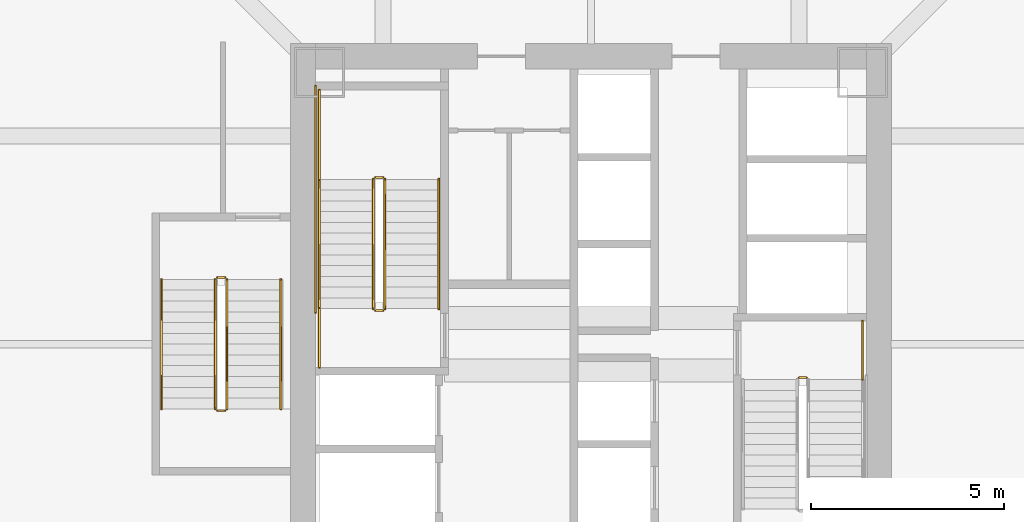
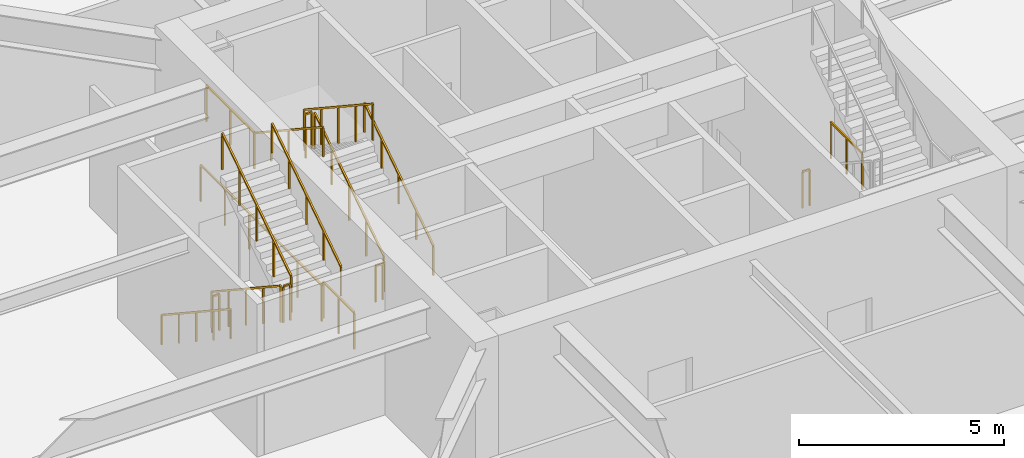
# One storey, part 40 of 44: 17 railings.
"""IFC4 building model written with IfcOpenShell, lengths in metres."""

from ifc_helpers import new_model, si_unit, direction, frame, origin, origin_2d, place, context, subcontext, project, spatial, rectangle, extrude, material, type_object, element, save


model = new_model("IFC4")

# Units and contexts
model_context = context("Model", 3, precision=1e-05, world=origin(), true_north=direction((0.0, 1.0)))
body_context = subcontext(model_context, "Body", "Model", "MODEL_VIEW")
ifc_project = project(units=[si_unit("LENGTHUNIT", "METRE"), si_unit("AREAUNIT", "SQUARE_METRE"), si_unit("VOLUMEUNIT", "CUBIC_METRE"), si_unit("PLANEANGLEUNIT", "RADIAN"), si_unit("MASSUNIT", "GRAM", prefix="KILO")], contexts=[model_context])

# Site, building, storey
site_placement = place(None, origin())
site = spatial("IfcSite", under=ifc_project, at=site_placement, CompositionType="ELEMENT")
building_placement = place(site_placement, origin())
building = spatial("IfcBuilding", under=site, at=building_placement, Name="Tashvorn Skyway Center", CompositionType="ELEMENT")
storey_placement = place(building_placement, frame((0.0, 0.0, 5.39990234375)))
storey = spatial("IfcBuildingStorey", under=building, at=storey_placement, Name="L01", CompositionType="ELEMENT", Elevation=5.39990234375)

# Railings
ifc_material_1 = material(Name="Brushed stainless steel 316", Category="steel")
railing_type_1 = type_object("IfcRailingType", Name="RAIL-HAND-920", PredefinedType="HANDRAIL", material=ifc_material_1)
railing_1_placement = place(storey_placement, frame((38.050048828125, 32.919921875, 0.184814453125)))
element("IfcRailing", 1, at=railing_1_placement, inside=storey, type_object=railing_type_1, Name="L01 ST-T1-1 stair handrail 1", PredefinedType="HANDRAIL", context=body_context, shape_type="SweptSolid", body=[
    extrude(rectangle(XDim=0.048095703125, YDim=0.048095703125, at=origin_2d()), frame((0.0, 0.0, 0.8759765625), z_axis=(0.0, 0.834876476806, 0.550437342915), x_axis=(-1.0, 0.0, 0.0)), (0.0, 0.0, 1.0), 4.024658203125),
    extrude(rectangle(XDim=0.0419921875, YDim=0.0419921875, at=origin_2d()), origin(), (0.0, 0.0, 1.0), 0.851806640625),
    extrude(rectangle(XDim=0.0419921875, YDim=0.0419921875, at=origin_2d()), frame((0.0, 0.840087890625, 0.5537109375)), (0.0, 0.0, 1.0), 0.851806640625),
    extrude(rectangle(XDim=0.0419921875, YDim=0.0419921875, at=origin_2d()), frame((0.0, 1.68017578125, 1.107666015625)), (0.0, 0.0, 1.0), 0.851806640625),
    extrude(rectangle(XDim=0.0419921875, YDim=0.0419921875, at=origin_2d()), frame((0.0, 2.52001953125, 1.66162109375)), (0.0, 0.0, 1.0), 0.851806640625),
    extrude(rectangle(XDim=0.0419921875, YDim=0.0419921875, at=origin_2d()), frame((0.0, 3.360107421875, 2.21533203125)), (0.0, 0.0, 1.0), 0.851806640625),
])
railing_2_placement = place(storey_placement, frame((34.949951171875, 36.280029296875, 2.584716796875)))
element("IfcRailing", 2, at=railing_2_placement, inside=storey, type_object=railing_type_1, Name="L01 ST-T1-1 stair handrail 2", PredefinedType="HANDRAIL", context=body_context, shape_type="SweptSolid", body=[
    extrude(rectangle(XDim=0.048095703125, YDim=0.048095703125, at=origin_2d()), frame((0.0, 0.0, 0.8759765625), z_axis=(0.0, -0.834876476806, 0.550437342915), x_axis=(1.0, 0.0, 0.0)), (0.0, 0.0, 1.0), 4.024658203125),
    extrude(rectangle(XDim=0.0419921875, YDim=0.0419921875, at=origin_2d()), origin(), (0.0, 0.0, 1.0), 0.851806640625),
    extrude(rectangle(XDim=0.0419921875, YDim=0.0419921875, at=origin_2d()), frame((0.0, -0.840087890625, 0.5537109375)), (0.0, 0.0, 1.0), 0.851806640625),
    extrude(rectangle(XDim=0.0419921875, YDim=0.0419921875, at=origin_2d()), frame((0.0, -1.68017578125, 1.107666015625)), (0.0, 0.0, 1.0), 0.851806640625),
    extrude(rectangle(XDim=0.0419921875, YDim=0.0419921875, at=origin_2d()), frame((0.0, -2.52001953125, 1.66162109375)), (0.0, 0.0, 1.0), 0.851806640625),
    extrude(rectangle(XDim=0.0419921875, YDim=0.0419921875, at=origin_2d()), frame((0.0, -3.360107421875, 2.21533203125)), (0.0, 0.0, 1.0), 0.851806640625),
])
railing_3_placement = place(storey_placement, frame((30.85009765625, 33.679931640625, 0.184814453125)))
element("IfcRailing", 3, at=railing_3_placement, inside=storey, type_object=railing_type_1, Name="L01 ST-T1-3 stair handrail 1", PredefinedType="HANDRAIL", context=body_context, shape_type="SweptSolid", body=[
    extrude(rectangle(XDim=0.048095703125, YDim=0.048095703125, at=origin_2d()), frame((0.0, 0.0, 0.8759765625), z_axis=(0.0, -0.834858096282, 0.550465220583), x_axis=(1.0, 0.0, 0.0)), (0.0, 0.0, 1.0), 4.0244140625),
    extrude(rectangle(XDim=0.0419921875, YDim=0.0419921875, at=origin_2d()), origin(), (0.0, 0.0, 1.0), 0.851806640625),
    extrude(rectangle(XDim=0.0419921875, YDim=0.0419921875, at=origin_2d()), frame((0.0, -0.83984375, 0.5537109375)), (0.0, 0.0, 1.0), 0.851806640625),
    extrude(rectangle(XDim=0.0419921875, YDim=0.0419921875, at=origin_2d()), frame((0.0, -1.679931640625, 1.107666015625)), (0.0, 0.0, 1.0), 0.851806640625),
    extrude(rectangle(XDim=0.0419921875, YDim=0.0419921875, at=origin_2d()), frame((0.0, -2.52001953125, 1.66162109375)), (0.0, 0.0, 1.0), 0.851806640625),
    extrude(rectangle(XDim=0.0419921875, YDim=0.0419921875, at=origin_2d()), frame((0.0, -3.35986328125, 2.21533203125)), (0.0, 0.0, 1.0), 0.851806640625),
])
railing_4_placement = place(storey_placement, frame((33.949951171875, 30.320068359375, 2.584716796875)))
element("IfcRailing", 4, at=railing_4_placement, inside=storey, type_object=railing_type_1, Name="L01 ST-T1-3 stair handrail 2", PredefinedType="HANDRAIL", context=body_context, shape_type="SweptSolid", body=[
    extrude(rectangle(XDim=0.048095703125, YDim=0.048095703125, at=origin_2d()), frame((0.0, 0.0, 0.8759765625), z_axis=(0.0, 0.834858096282, 0.550465220583), x_axis=(-1.0, 0.0, 0.0)), (0.0, 0.0, 1.0), 4.0244140625),
    extrude(rectangle(XDim=0.0419921875, YDim=0.0419921875, at=origin_2d()), origin(), (0.0, 0.0, 1.0), 0.851806640625),
    extrude(rectangle(XDim=0.0419921875, YDim=0.0419921875, at=origin_2d()), frame((0.0, 0.83984375, 0.5537109375)), (0.0, 0.0, 1.0), 0.851806640625),
    extrude(rectangle(XDim=0.0419921875, YDim=0.0419921875, at=origin_2d()), frame((0.0, 1.679931640625, 1.107666015625)), (0.0, 0.0, 1.0), 0.851806640625),
    extrude(rectangle(XDim=0.0419921875, YDim=0.0419921875, at=origin_2d()), frame((0.0, 2.52001953125, 1.66162109375)), (0.0, 0.0, 1.0), 0.851806640625),
    extrude(rectangle(XDim=0.0419921875, YDim=0.0419921875, at=origin_2d()), frame((0.0, 3.35986328125, 2.21533203125)), (0.0, 0.0, 1.0), 0.851806640625),
])
ifc_material_2 = material(Name="Painted galvanized steel S355", Category="steel")
railing_type_2 = type_object("IfcRailingType", Name="RAIL-STGUARD-1100", PredefinedType="GUARDRAIL", material=ifc_material_2)
railing_5_placement = place(storey_placement, frame((36.64990234375, 32.919921875, 0.184814453125)))
element("IfcRailing", 5, at=railing_5_placement, inside=storey, type_object=railing_type_2, Name="L01 ST-T1-1 stair guard 1", PredefinedType="GUARDRAIL", context=body_context, shape_type="SweptSolid", body=[
    extrude(rectangle(XDim=0.048095703125, YDim=0.048095703125, at=origin_2d()), frame((0.0, 0.0, 1.076171875), z_axis=(0.0, 0.834876476806, 0.550437342915), x_axis=(-1.0, 0.0, 0.0)), (0.0, 0.0, 1.0), 4.024658203125),
    extrude(rectangle(XDim=0.0419921875, YDim=0.0419921875, at=origin_2d()), origin(), (0.0, 0.0, 1.0), 1.052001953125),
    extrude(rectangle(XDim=0.0419921875, YDim=0.0419921875, at=origin_2d()), frame((0.0, 0.840087890625, 0.5537109375)), (0.0, 0.0, 1.0), 1.052001953125),
    extrude(rectangle(XDim=0.0419921875, YDim=0.0419921875, at=origin_2d()), frame((0.0, 1.68017578125, 1.107666015625)), (0.0, 0.0, 1.0), 1.052001953125),
    extrude(rectangle(XDim=0.0419921875, YDim=0.0419921875, at=origin_2d()), frame((0.0, 2.52001953125, 1.66162109375)), (0.0, 0.0, 1.0), 1.052001953125),
    extrude(rectangle(XDim=0.0419921875, YDim=0.0419921875, at=origin_2d()), frame((0.0, 3.360107421875, 2.21533203125)), (0.0, 0.0, 1.0), 1.052001953125),
])
railing_6_placement = place(storey_placement, frame((36.60009765625, 36.330078125, 2.400146484375)))
element("IfcRailing", 6, at=railing_6_placement, inside=storey, type_object=railing_type_2, Name="L01 ST-T1-1 stair guard 2", PredefinedType="GUARDRAIL", context=body_context, shape_type="SweptSolid", body=[
    extrude(rectangle(XDim=0.048095703125, YDim=0.048095703125, at=origin_2d()), frame((0.0, 0.0, 1.076171875), z_axis=(-1.0, 0.0, 0.0), x_axis=(0.0, -1.0, 0.0)), (0.0, 0.0, 1.0), 0.2001953125),
    extrude(rectangle(XDim=0.0419921875, YDim=0.0419921875, at=origin_2d()), origin(), (0.0, 0.0, 1.0), 1.052001953125),
    extrude(rectangle(XDim=0.0419921875, YDim=0.0419921875, at=origin_2d()), frame((-0.2001953125, 0.0, 0.0)), (0.0, 0.0, 1.0), 1.052001953125),
])
railing_7_placement = place(storey_placement, frame((34.949951171875, 36.280029296875, 2.400146484375)))
element("IfcRailing", 7, at=railing_7_placement, inside=storey, type_object=railing_type_2, Name="L01 ST-T1-1 stair guard 3", PredefinedType="GUARDRAIL", context=body_context, shape_type="SweptSolid", body=[
    extrude(rectangle(XDim=0.048095703125, YDim=0.048095703125, at=origin_2d()), frame((0.0, 0.0, 1.076171875), z_axis=(0.0, 1.0, 0.0), x_axis=(-1.0, 0.0, 0.0)), (0.0, 0.0, 1.0), 2.320068359375),
    extrude(rectangle(XDim=0.0419921875, YDim=0.0419921875, at=origin_2d()), origin(), (0.0, 0.0, 1.0), 1.052001953125),
    extrude(rectangle(XDim=0.0419921875, YDim=0.0419921875, at=origin_2d()), frame((0.0, 1.16015625, 0.0)), (0.0, 0.0, 1.0), 1.052001953125),
    extrude(rectangle(XDim=0.0419921875, YDim=0.0419921875, at=origin_2d()), frame((0.0, 2.320068359375, 0.0)), (0.0, 0.0, 1.0), 1.052001953125),
])
railing_8_placement = place(storey_placement, frame((36.35009765625, 36.280029296875, 2.584716796875)))
element("IfcRailing", 8, at=railing_8_placement, inside=storey, type_object=railing_type_2, Name="L01 ST-T1-1 stair guard 4", PredefinedType="GUARDRAIL", context=body_context, shape_type="SweptSolid", body=[
    extrude(rectangle(XDim=0.048095703125, YDim=0.048095703125, at=origin_2d()), frame((0.0, 0.0, 1.076171875), z_axis=(0.0, -0.834876476806, 0.550437342915), x_axis=(1.0, 0.0, 0.0)), (0.0, 0.0, 1.0), 4.024658203125),
    extrude(rectangle(XDim=0.0419921875, YDim=0.0419921875, at=origin_2d()), origin(), (0.0, 0.0, 1.0), 1.052001953125),
    extrude(rectangle(XDim=0.0419921875, YDim=0.0419921875, at=origin_2d()), frame((0.0, -0.840087890625, 0.5537109375)), (0.0, 0.0, 1.0), 1.052001953125),
    extrude(rectangle(XDim=0.0419921875, YDim=0.0419921875, at=origin_2d()), frame((0.0, -1.68017578125, 1.107666015625)), (0.0, 0.0, 1.0), 1.052001953125),
    extrude(rectangle(XDim=0.0419921875, YDim=0.0419921875, at=origin_2d()), frame((0.0, -2.52001953125, 1.66162109375)), (0.0, 0.0, 1.0), 1.052001953125),
    extrude(rectangle(XDim=0.0419921875, YDim=0.0419921875, at=origin_2d()), frame((0.0, -3.360107421875, 2.21533203125)), (0.0, 0.0, 1.0), 1.052001953125),
])
railing_9_placement = place(storey_placement, frame((36.60009765625, 32.8701171875, 0.0)))
element("IfcRailing", 9, at=railing_9_placement, inside=storey, type_object=railing_type_2, Name="L01 ST-T1-1 stair guard 5", PredefinedType="GUARDRAIL", context=body_context, shape_type="SweptSolid", body=[
    extrude(rectangle(XDim=0.048095703125, YDim=0.048095703125, at=origin_2d()), frame((0.0, 0.0, 1.076171875), z_axis=(-1.0, 0.0, 0.0), x_axis=(0.0, -1.0, 0.0)), (0.0, 0.0, 1.0), 0.2001953125),
    extrude(rectangle(XDim=0.0419921875, YDim=0.0419921875, at=origin_2d()), origin(), (0.0, 0.0, 1.0), 1.052001953125),
    extrude(rectangle(XDim=0.0419921875, YDim=0.0419921875, at=origin_2d()), frame((-0.2001953125, 0.0, 0.0)), (0.0, 0.0, 1.0), 1.052001953125),
])
railing_10_placement = place(storey_placement, frame((34.949951171875, 31.39990234375, 0.0)))
element("IfcRailing", 10, at=railing_10_placement, inside=storey, type_object=railing_type_2, Name="L01 ST-T1-1 stair guard 6", PredefinedType="GUARDRAIL", context=body_context, shape_type="SweptSolid", body=[
    extrude(rectangle(XDim=0.048095703125, YDim=0.048095703125, at=origin_2d()), frame((0.0, 0.0, 1.076171875), z_axis=(0.0, 1.0, 0.0), x_axis=(-1.0, 0.0, 0.0)), (0.0, 0.0, 1.0), 1.52001953125),
    extrude(rectangle(XDim=0.0419921875, YDim=0.0419921875, at=origin_2d()), origin(), (0.0, 0.0, 1.0), 1.052001953125),
    extrude(rectangle(XDim=0.0419921875, YDim=0.0419921875, at=origin_2d()), frame((0.0, 0.760009765625, 0.0)), (0.0, 0.0, 1.0), 1.052001953125),
    extrude(rectangle(XDim=0.0419921875, YDim=0.0419921875, at=origin_2d()), frame((0.0, 1.52001953125, 0.0)), (0.0, 0.0, 1.0), 1.052001953125),
])
railing_11_placement = place(storey_placement, frame((34.85009765625, 32.820068359375, 0.0)))
element("IfcRailing", 11, at=railing_11_placement, inside=storey, type_object=railing_type_2, Name="L01 ST-T1-1 stair guard 7", PredefinedType="GUARDRAIL", context=body_context, shape_type="SweptSolid", body=[
    extrude(rectangle(XDim=0.048095703125, YDim=0.048095703125, at=origin_2d()), frame((0.0, 0.0, 1.076171875), z_axis=(0.0, 1.0, 0.0), x_axis=(-1.0, 0.0, 0.0)), (0.0, 0.0, 1.0), 5.8798828125),
    extrude(rectangle(XDim=0.0419921875, YDim=0.0419921875, at=origin_2d()), origin(), (0.0, 0.0, 1.0), 1.052001953125),
    extrude(rectangle(XDim=0.0419921875, YDim=0.0419921875, at=origin_2d()), frame((0.0, 1.176025390625, 0.0)), (0.0, 0.0, 1.0), 1.052001953125),
    extrude(rectangle(XDim=0.0419921875, YDim=0.0419921875, at=origin_2d()), frame((0.0, 2.35205078125, 0.0)), (0.0, 0.0, 1.0), 1.052001953125),
    extrude(rectangle(XDim=0.0419921875, YDim=0.0419921875, at=origin_2d()), frame((0.0, 3.52783203125, 0.0)), (0.0, 0.0, 1.0), 1.052001953125),
    extrude(rectangle(XDim=0.0419921875, YDim=0.0419921875, at=origin_2d()), frame((0.0, 4.703857421875, 0.0)), (0.0, 0.0, 1.0), 1.052001953125),
    extrude(rectangle(XDim=0.0419921875, YDim=0.0419921875, at=origin_2d()), frame((0.0, 5.8798828125, 0.0)), (0.0, 0.0, 1.0), 1.052001953125),
])
railing_12_placement = place(storey_placement, frame((47.39990234375, 31.1298828125, 0.0)))
element("IfcRailing", 12, at=railing_12_placement, inside=storey, type_object=railing_type_2, Name="L01 ST-T1-2 stair guard 5", PredefinedType="GUARDRAIL", context=body_context, shape_type="SweptSolid", body=[
    extrude(rectangle(XDim=0.048095703125, YDim=0.048095703125, at=origin_2d()), frame((0.0, 0.0, 1.076171875), z_axis=(1.0, 0.0, 0.0), x_axis=(0.0, 1.0, 0.0)), (0.0, 0.0, 1.0), 0.2001953125),
    extrude(rectangle(XDim=0.0419921875, YDim=0.0419921875, at=origin_2d()), origin(), (0.0, 0.0, 1.0), 1.052001953125),
    extrude(rectangle(XDim=0.0419921875, YDim=0.0419921875, at=origin_2d()), frame((0.2001953125, 0.0, 0.0)), (0.0, 0.0, 1.0), 1.052001953125),
])
railing_13_placement = place(storey_placement, frame((49.050048828125, 32.60009765625, 0.0)))
element("IfcRailing", 13, at=railing_13_placement, inside=storey, type_object=railing_type_2, Name="L01 ST-T1-2 stair guard 6", PredefinedType="GUARDRAIL", context=body_context, shape_type="SweptSolid", body=[
    extrude(rectangle(XDim=0.048095703125, YDim=0.048095703125, at=origin_2d()), frame((0.0, 0.0, 1.076171875), z_axis=(0.0, -1.0, 0.0), x_axis=(1.0, 0.0, 0.0)), (0.0, 0.0, 1.0), 1.52001953125),
    extrude(rectangle(XDim=0.0419921875, YDim=0.0419921875, at=origin_2d()), origin(), (0.0, 0.0, 1.0), 1.052001953125),
    extrude(rectangle(XDim=0.0419921875, YDim=0.0419921875, at=origin_2d()), frame((0.0, -0.760009765625, 0.0)), (0.0, 0.0, 1.0), 1.052001953125),
    extrude(rectangle(XDim=0.0419921875, YDim=0.0419921875, at=origin_2d()), frame((0.0, -1.52001953125, 0.0)), (0.0, 0.0, 1.0), 1.052001953125),
])
railing_14_placement = place(storey_placement, frame((32.25, 33.679931640625, 0.184814453125)))
element("IfcRailing", 14, at=railing_14_placement, inside=storey, type_object=railing_type_2, Name="L01 ST-T1-3 stair guard 1", PredefinedType="GUARDRAIL", context=body_context, shape_type="SweptSolid", body=[
    extrude(rectangle(XDim=0.048095703125, YDim=0.048095703125, at=origin_2d()), frame((0.0, 0.0, 1.076171875), z_axis=(0.0, -0.834858096282, 0.550465220583), x_axis=(1.0, 0.0, 0.0)), (0.0, 0.0, 1.0), 4.0244140625),
    extrude(rectangle(XDim=0.0419921875, YDim=0.0419921875, at=origin_2d()), origin(), (0.0, 0.0, 1.0), 1.052001953125),
    extrude(rectangle(XDim=0.0419921875, YDim=0.0419921875, at=origin_2d()), frame((0.0, -0.83984375, 0.5537109375)), (0.0, 0.0, 1.0), 1.052001953125),
    extrude(rectangle(XDim=0.0419921875, YDim=0.0419921875, at=origin_2d()), frame((0.0, -1.679931640625, 1.107666015625)), (0.0, 0.0, 1.0), 1.052001953125),
    extrude(rectangle(XDim=0.0419921875, YDim=0.0419921875, at=origin_2d()), frame((0.0, -2.52001953125, 1.66162109375)), (0.0, 0.0, 1.0), 1.052001953125),
    extrude(rectangle(XDim=0.0419921875, YDim=0.0419921875, at=origin_2d()), frame((0.0, -3.35986328125, 2.21533203125)), (0.0, 0.0, 1.0), 1.052001953125),
])
railing_15_placement = place(storey_placement, frame((32.300048828125, 30.27001953125, 2.400146484375)))
element("IfcRailing", 15, at=railing_15_placement, inside=storey, type_object=railing_type_2, Name="L01 ST-T1-3 stair guard 2", PredefinedType="GUARDRAIL", context=body_context, shape_type="SweptSolid", body=[
    extrude(rectangle(XDim=0.048095703125, YDim=0.048095703125, at=origin_2d()), frame((0.0, 0.0, 1.076171875), z_axis=(1.0, 0.0, 0.0), x_axis=(0.0, 1.0, 0.0)), (0.0, 0.0, 1.0), 0.199951171875),
    extrude(rectangle(XDim=0.0419921875, YDim=0.0419921875, at=origin_2d()), origin(), (0.0, 0.0, 1.0), 1.052001953125),
    extrude(rectangle(XDim=0.0419921875, YDim=0.0419921875, at=origin_2d()), frame((0.199951171875, 0.0, 0.0)), (0.0, 0.0, 1.0), 1.052001953125),
])
railing_16_placement = place(storey_placement, frame((32.550048828125, 30.320068359375, 2.584716796875)))
element("IfcRailing", 16, at=railing_16_placement, inside=storey, type_object=railing_type_2, Name="L01 ST-T1-3 stair guard 3", PredefinedType="GUARDRAIL", context=body_context, shape_type="SweptSolid", body=[
    extrude(rectangle(XDim=0.048095703125, YDim=0.048095703125, at=origin_2d()), frame((0.0, 0.0, 1.076171875), z_axis=(0.0, 0.834858096282, 0.550465220583), x_axis=(-1.0, 0.0, 0.0)), (0.0, 0.0, 1.0), 4.0244140625),
    extrude(rectangle(XDim=0.0419921875, YDim=0.0419921875, at=origin_2d()), origin(), (0.0, 0.0, 1.0), 1.052001953125),
    extrude(rectangle(XDim=0.0419921875, YDim=0.0419921875, at=origin_2d()), frame((0.0, 0.83984375, 0.5537109375)), (0.0, 0.0, 1.0), 1.052001953125),
    extrude(rectangle(XDim=0.0419921875, YDim=0.0419921875, at=origin_2d()), frame((0.0, 1.679931640625, 1.107666015625)), (0.0, 0.0, 1.0), 1.052001953125),
    extrude(rectangle(XDim=0.0419921875, YDim=0.0419921875, at=origin_2d()), frame((0.0, 2.52001953125, 1.66162109375)), (0.0, 0.0, 1.0), 1.052001953125),
    extrude(rectangle(XDim=0.0419921875, YDim=0.0419921875, at=origin_2d()), frame((0.0, 3.35986328125, 2.21533203125)), (0.0, 0.0, 1.0), 1.052001953125),
])
railing_17_placement = place(storey_placement, frame((32.300048828125, 33.72998046875, 0.0)))
element("IfcRailing", 17, at=railing_17_placement, inside=storey, type_object=railing_type_2, Name="L01 ST-T1-3 stair guard 4", PredefinedType="GUARDRAIL", context=body_context, shape_type="SweptSolid", body=[
    extrude(rectangle(XDim=0.048095703125, YDim=0.048095703125, at=origin_2d()), frame((0.0, 0.0, 1.076171875), z_axis=(1.0, 0.0, 0.0), x_axis=(0.0, 1.0, 0.0)), (0.0, 0.0, 1.0), 0.199951171875),
    extrude(rectangle(XDim=0.0419921875, YDim=0.0419921875, at=origin_2d()), origin(), (0.0, 0.0, 1.0), 1.052001953125),
    extrude(rectangle(XDim=0.0419921875, YDim=0.0419921875, at=origin_2d()), frame((0.199951171875, 0.0, 0.0)), (0.0, 0.0, 1.0), 1.052001953125),
])

save(model, "model.ifc")
